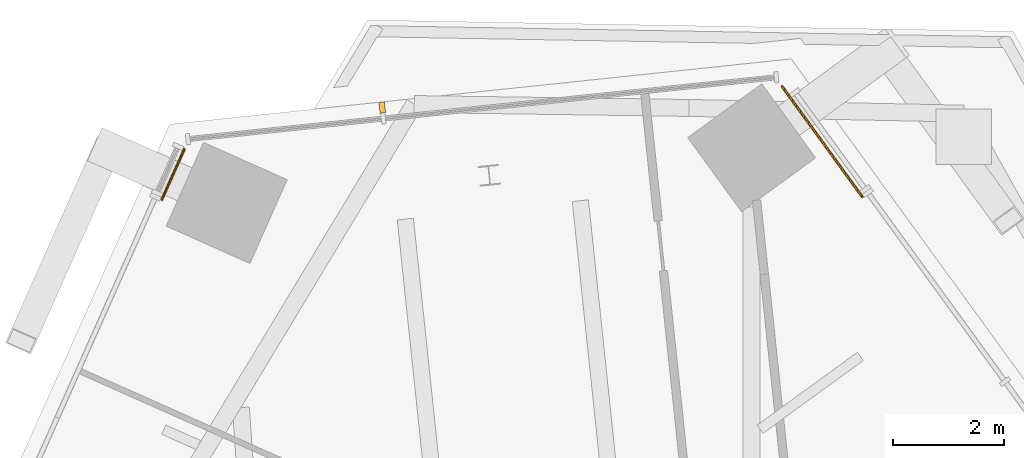
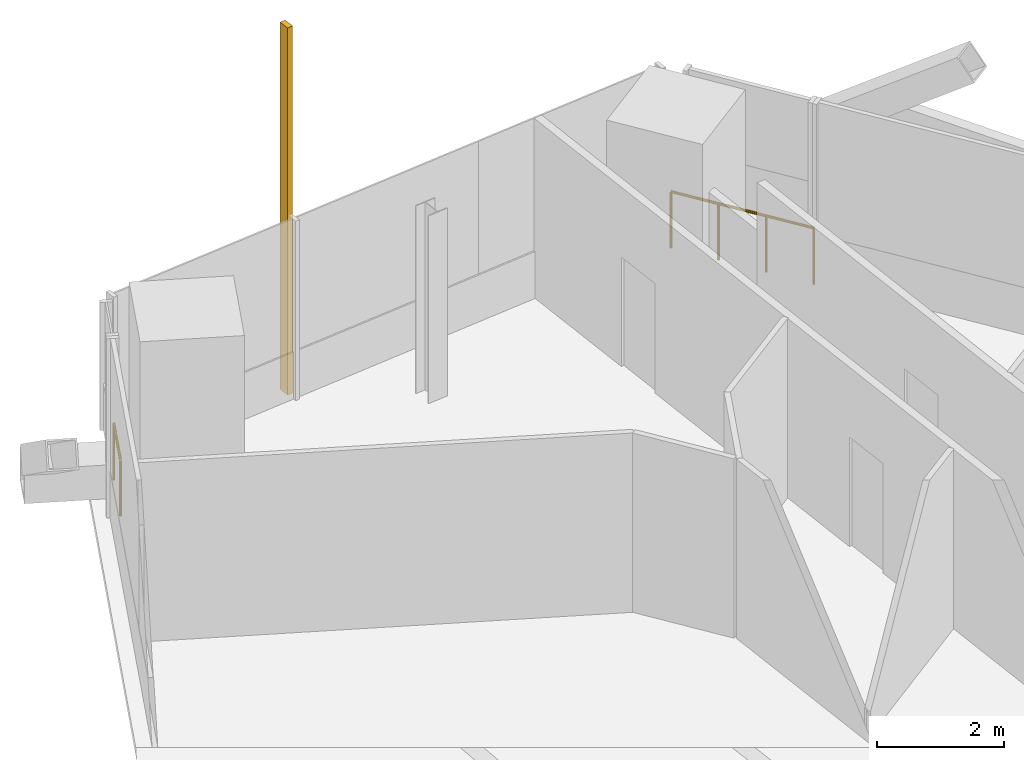
# One storey, part 20 of 21: 2 railings, 1 shading device.
"""IFC4 building model written with IfcOpenShell, lengths in metres."""

from ifc_helpers import new_model, si_unit, direction, frame, origin, origin_2d, place, context, subcontext, project, spatial, rectangle, circle, extrude, source, transform, mapped, material, type_object, element, save


model = new_model("IFC4")

# Units and contexts
model_context = context("Model", 3, precision=1e-05, world=origin(), true_north=direction((0.0, 1.0)))
body_context = subcontext(model_context, "Body", "Model", "MODEL_VIEW")
ifc_project = project(units=[si_unit("LENGTHUNIT", "METRE"), si_unit("AREAUNIT", "SQUARE_METRE"), si_unit("VOLUMEUNIT", "CUBIC_METRE"), si_unit("PLANEANGLEUNIT", "RADIAN"), si_unit("MASSUNIT", "GRAM", prefix="KILO")], contexts=[model_context])

# Site, building, storey
site_placement = place(None, origin())
site = spatial("IfcSite", under=ifc_project, at=site_placement, CompositionType="ELEMENT")
building_placement = place(site_placement, origin())
building = spatial("IfcBuilding", under=site, at=building_placement, Name="Triune Harvest Tower", CompositionType="ELEMENT")
storey_placement = place(building_placement, frame((0.0, 0.0, 219.699951171875)))
storey = spatial("IfcBuildingStorey", under=building, at=storey_placement, Name="L57", CompositionType="ELEMENT", Elevation=219.699951171875)

# Railings
ifc_material_1 = material(Name="Glass", Category="glass")
railing_type = type_object("IfcRailingType", Name="GD-3 facade guard 1100", PredefinedType="GUARDRAIL", material=ifc_material_1)
railing_1_placement = place(storey_placement, frame((3.648681640625, 28.799072265625, 0.0)))
element("IfcRailing", 1, at=railing_1_placement, inside=storey, type_object=railing_type, Name="Facade guard B6-F1 L57.1.2", PredefinedType="GUARDRAIL", context=body_context, shape_type="SweptSolid", body=[
    extrude(circle(Radius=0.02392578125, at=origin_2d()), frame((0.0, 0.0, 1.076171875), z_axis=(-0.587823248521, 0.808989387135, 0.0), x_axis=(-0.808989387135, -0.587823248521, 0.0)), (0.0, 0.0, 1.0), 2.458251953125),
    extrude(circle(Radius=0.02099609375, at=origin_2d()), origin(), (0.0, 0.0, 1.0), 1.052001953125),
    extrude(circle(Radius=0.02099609375, at=origin_2d()), frame((-0.481689453125, 0.662841796875, 0.0)), (0.0, 0.0, 1.0), 1.052001953125),
    extrude(circle(Radius=0.02099609375, at=origin_2d()), frame((-0.96337890625, 1.325927734375, 0.0)), (0.0, 0.0, 1.0), 1.052001953125),
    extrude(circle(Radius=0.02099609375, at=origin_2d()), frame((-1.445068359375, 1.98876953125, 0.0)), (0.0, 0.0, 1.0), 1.052001953125),
])
railing_2_placement = place(storey_placement, frame((-8.556640625, 29.656982421875, 0.0)))
element("IfcRailing", 2, at=railing_2_placement, inside=storey, type_object=railing_type, Name="Facade guard B6-F3 L57.1.1", PredefinedType="GUARDRAIL", context=body_context, shape_type="SweptSolid", body=[
    extrude(circle(Radius=0.02392578125, at=origin_2d()), frame((0.0, 0.0, 1.076171875), z_axis=(-0.406797348065, -0.913518427623, 0.0), x_axis=(0.913518427623, -0.406797348065, 0.0)), (0.0, 0.0, 1.0), 0.996826171875),
    extrude(circle(Radius=0.02099609375, at=origin_2d()), origin(), (0.0, 0.0, 1.0), 1.052001953125),
    extrude(circle(Radius=0.02099609375, at=origin_2d()), frame((-0.405517578125, -0.91064453125, 0.0)), (0.0, 0.0, 1.0), 1.052001953125),
])

# Shading device
ifc_material_2 = material(Name="Aluminium bronze anodised", Category="aluminium")
shared_shape = source(origin(), body_context, "Body", "SweptSolid", [
    extrude(rectangle(XDim=0.10009765625, YDim=0.199951171875, at=origin_2d()), origin(), (0.0, 0.0, 1.0), 7.0400390625),
])
shading_device_placement = place(storey_placement, frame((-4.993408203125, 30.40576171875, 0.0), z_axis=(0.0, 0.0, 1.0), x_axis=(-0.994521768229, -0.104529672907, 0.0)))
element("IfcShadingDevice", 3, at=shading_device_placement, inside=storey, material=ifc_material_2, Name="FN-1 fin B6-F2.3 L57", ObjectType="FIN", PredefinedType="USERDEFINED", context=body_context, shape_type="MappedRepresentation", body=[
    mapped(shared_shape, transform((0.0, 0.0, 0.0), scale=1.0)),
])

save(model, "model.ifc")
